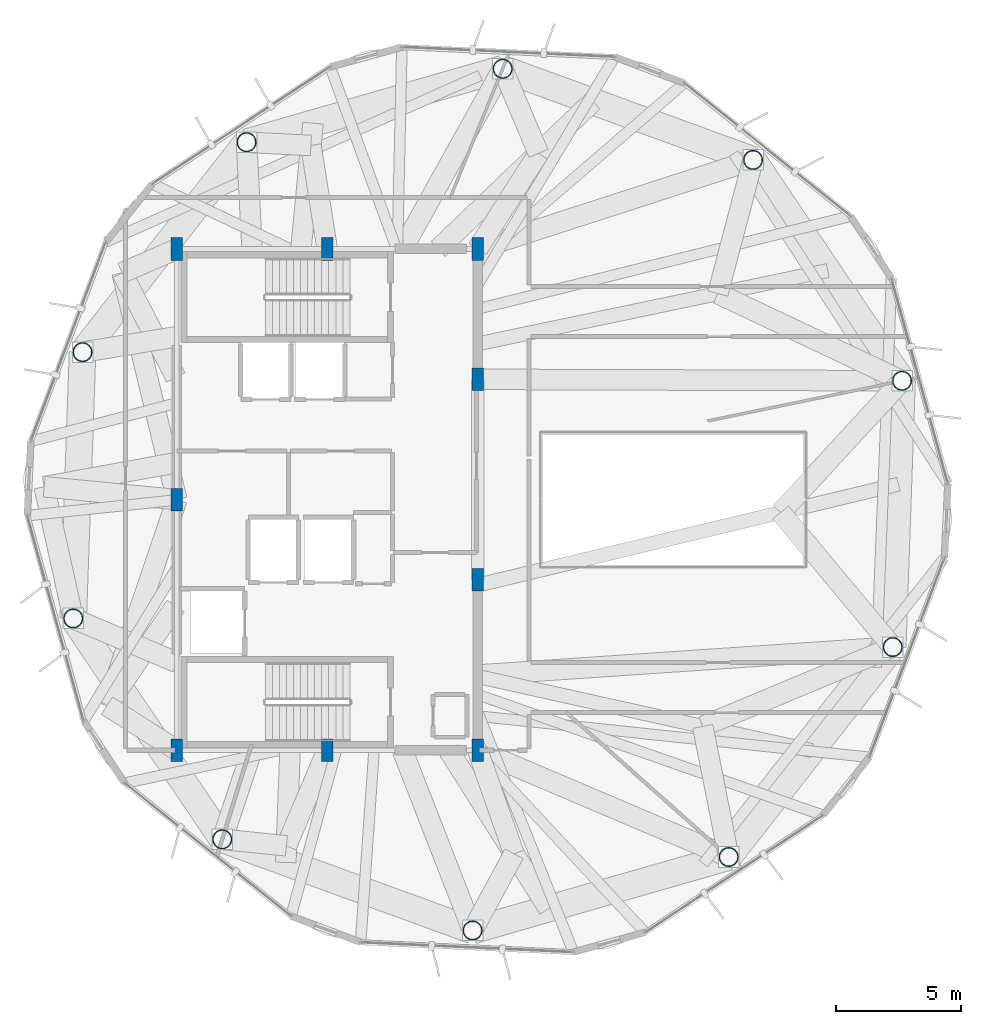
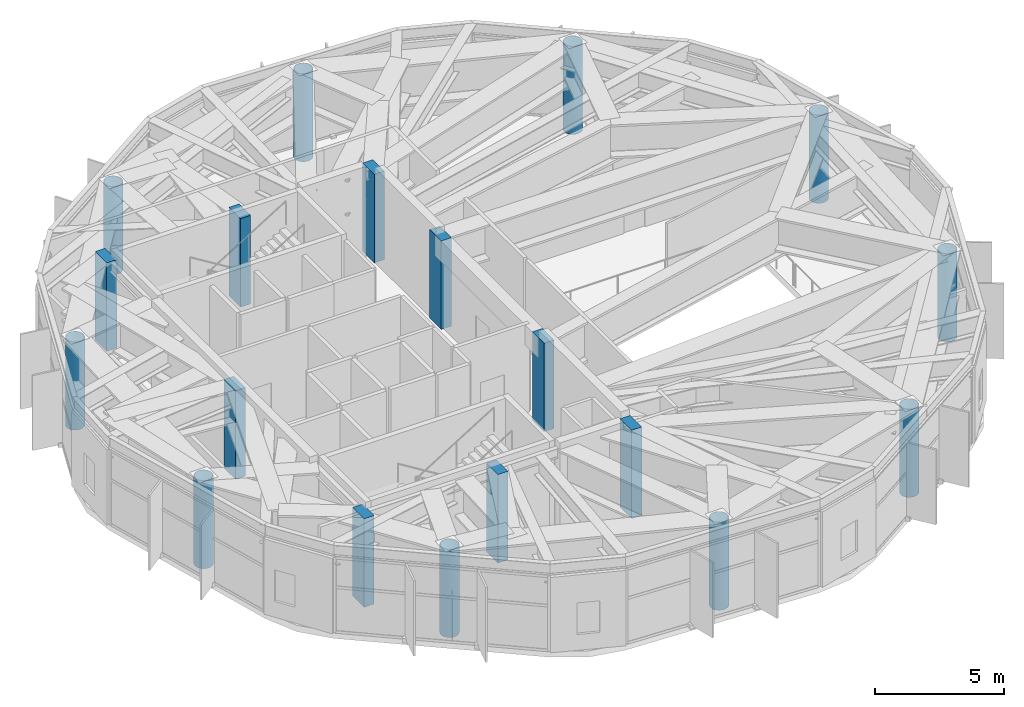
# One storey, part 1 of 27: 19 columns.
"""IFC4 building model written with IfcOpenShell, lengths in metres."""

from ifc_helpers import new_model, si_unit, direction, frame, origin, origin_2d, place, context, subcontext, project, spatial, rectangle, hollow_circle, extrude, material, material_profile, profile_set, type_object, element, save


model = new_model("IFC4")

# Units and contexts
model_context = context("Model", 3, precision=1e-05, world=origin(), true_north=direction((0.0, 1.0)))
body_context = subcontext(model_context, "Body", "Model", "MODEL_VIEW")
ifc_project = project(units=[si_unit("LENGTHUNIT", "METRE"), si_unit("AREAUNIT", "SQUARE_METRE"), si_unit("VOLUMEUNIT", "CUBIC_METRE"), si_unit("PLANEANGLEUNIT", "RADIAN"), si_unit("MASSUNIT", "GRAM", prefix="KILO")], contexts=[model_context])

# Site, building, storey
site_placement = place(None, origin())
site = spatial("IfcSite", under=ifc_project, at=site_placement, CompositionType="ELEMENT")
building_placement = place(site_placement, origin())
building = spatial("IfcBuilding", under=site, at=building_placement, Name="Soratama Intermodal Tower", CompositionType="ELEMENT")
storey_placement = place(building_placement, frame((0.0, 0.0, 288.550048828125)))
storey = spatial("IfcBuildingStorey", under=building, at=storey_placement, Name="L73", CompositionType="ELEMENT", Elevation=288.550048828125)

# Columns
ifc_material_1 = material(Name="Structural steel ASTM A572 Grade 50", Category="steel")
ifc_material_profile_1 = material_profile(ifc_material_1, hollow_circle(Radius=0.381103515625, WallThickness=0.02490234375, at=origin_2d()), Name="CHS762X25")
ifc_profile_set_1 = profile_set([ifc_material_profile_1], Name="Structural steel ASTM A572 Grade 50")
column_type_1 = type_object("IfcColumnType", Name="COL-TURB-CHS762", PredefinedType="COLUMN", material=ifc_profile_set_1)
for number, where, z_axis, x_axis, name in (
    (1, (61.53369140625, 29.740966796875, 0.0), (0.0, 0.0, 1.0), (1.0, 0.0, 0.0), "L73 Tower Ring Column R01"),
    (2, (55.58935546875, 38.5537109375, 0.0), (0.0, 0.0, 1.0), (1.0, 0.0, 0.0), "L73 Tower Ring Column R02"),
    (3, (45.600341796875, 42.189453125, 0.0), (0.0, 0.0, 1.0), (1.0, 0.0, 0.0), "L73 Tower Ring Column R03"),
    (4, (35.3818359375, 39.259521484375, 0.0), (0.0, 0.0, 1.0), (1.0, 0.0, 0.0), "L73 Tower Ring Column R04"),
    (5, (28.83740234375, 30.8828125, 0.0), (0.0, 0.0, 1.0), (1.0, 0.0, 0.0), "L73 Tower Ring Column R05"),
    (6, (28.46630859375, 20.259033203125, 0.0), (0.0, 0.0, 1.0), (1.0, 0.0, 0.0), "L73 Tower Ring Column R06"),
    (7, (34.41064453125, 11.4462890625, 0.0), (0.0, 0.0, 1.0), (1.0, 0.0, 0.0), "L73 Tower Ring Column R07"),
    (8, (44.399658203125, 7.810546875, 0.0), (0.0, 0.0, 1.0), (1.0, 0.0, 0.0), "L73 Tower Ring Column R08"),
    (9, (54.6181640625, 10.740478515625, 0.0), (0.0, 0.0, 1.0), (1.0, 0.0, 0.0), "L73 Tower Ring Column R09"),
    (10, (61.16259765625, 19.1171875, 0.0), (0.0, 0.0, 1.0), (1.0, 0.0, 0.0), "L73 Tower Ring Column R10"),
):
    element("IfcColumn", number, at=place(storey_placement, frame(where, z_axis=z_axis, x_axis=x_axis)), inside=storey, type_object=column_type_1, Name=name, PredefinedType="COLUMN", context=body_context, shape_type="SweptSolid", body=[
        extrude(hollow_circle(Radius=0.381103515625, WallThickness=0.02490234375, at=origin_2d()), origin(), (0.0, 0.0, 1.0), 4.1650390625),
    ])
ifc_material_2 = material(Name="Concrete f'c 56 MPa", Category="concrete")
ifc_material_profile_2 = material_profile(ifc_material_2, rectangle(XDim=0.449951171875, YDim=0.89990234375, at=origin_2d()), Name="RC450X900")
ifc_profile_set_2 = profile_set([ifc_material_profile_2], Name="Concrete f'c 56 MPa")
column_type_2 = type_object("IfcColumnType", Name="PIL-CORE-450X900", PredefinedType="PILASTER", material=ifc_profile_set_2)
for number, where, z_axis, x_axis, name in (
    (11, (32.60009765625, 15.0, 0.0), (0.0, 0.0, 1.0), (1.0, 0.0, 0.0), "L73 Core Pilaster 1"),
    (12, (32.60009765625, 25.0, 0.0), (0.0, 0.0, 1.0), (1.0, 0.0, 0.0), "L73 Core Pilaster 2"),
    (13, (32.60009765625, 35.0, 0.0), (0.0, 0.0, 1.0), (1.0, 0.0, 0.0), "L73 Core Pilaster 3"),
    (14, (38.60009765625, 15.0, 0.0), (0.0, 0.0, 1.0), (1.0, 0.0, 0.0), "L73 Core Pilaster 4"),
    (15, (38.60009765625, 35.0, 0.0), (0.0, 0.0, 1.0), (1.0, 0.0, 0.0), "L73 Core Pilaster 5"),
    (16, (44.60009765625, 15.0, 0.0), (0.0, 0.0, 1.0), (1.0, 0.0, 0.0), "L73 Core Pilaster 6"),
    (17, (44.60009765625, 21.800048828125, 0.0), (0.0, 0.0, 1.0), (1.0, 0.0, 0.0), "L73 Core Pilaster 7"),
    (18, (44.60009765625, 29.800048828125, 0.0), (0.0, 0.0, 1.0), (1.0, 0.0, 0.0), "L73 Core Pilaster 8"),
    (19, (44.60009765625, 35.0, 0.0), (0.0, 0.0, 1.0), (1.0, 0.0, 0.0), "L73 Core Pilaster 9"),
):
    element("IfcColumn", number, at=place(storey_placement, frame(where, z_axis=z_axis, x_axis=x_axis)), inside=storey, type_object=column_type_2, Name=name, PredefinedType="PILASTER", context=body_context, shape_type="SweptSolid", body=[
        extrude(rectangle(XDim=0.449951171875, YDim=0.89990234375, at=origin_2d()), origin(), (0.0, 0.0, 1.0), 4.195068359375),
    ])

save(model, "model.ifc")
